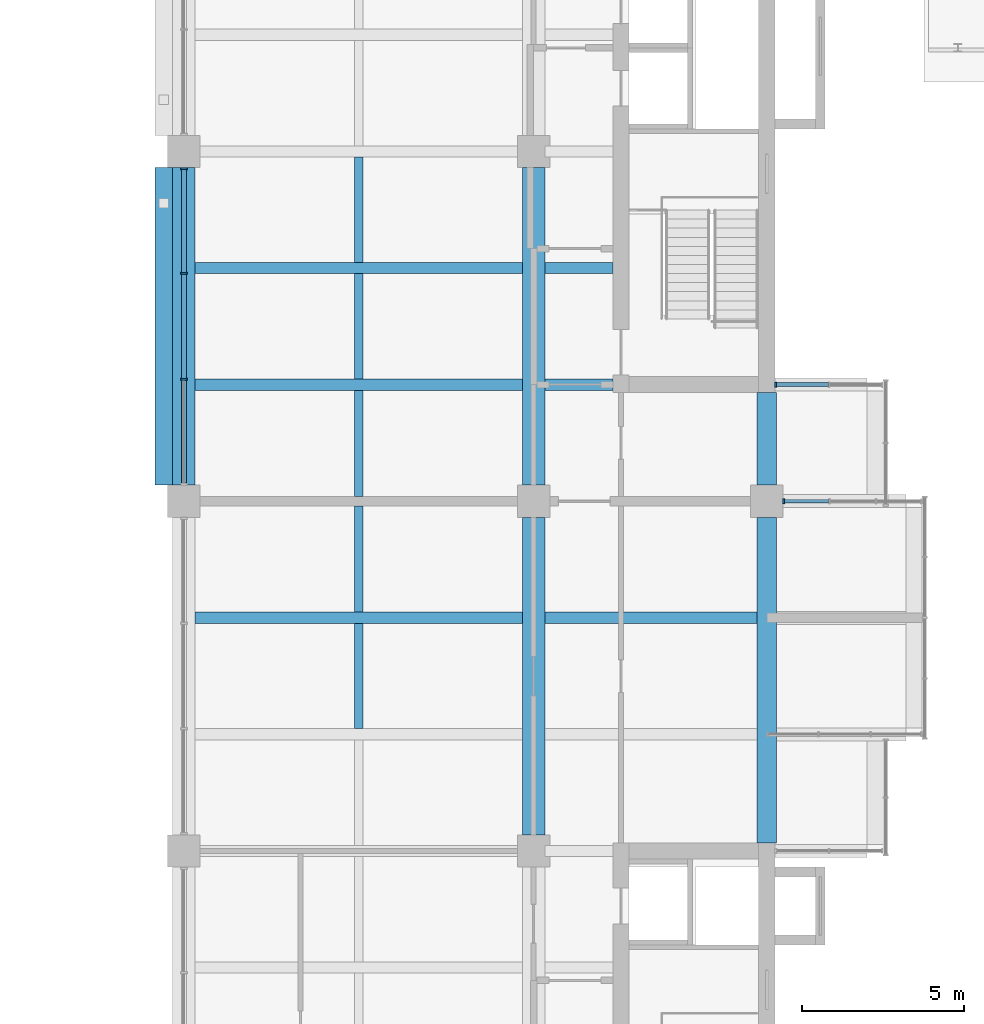
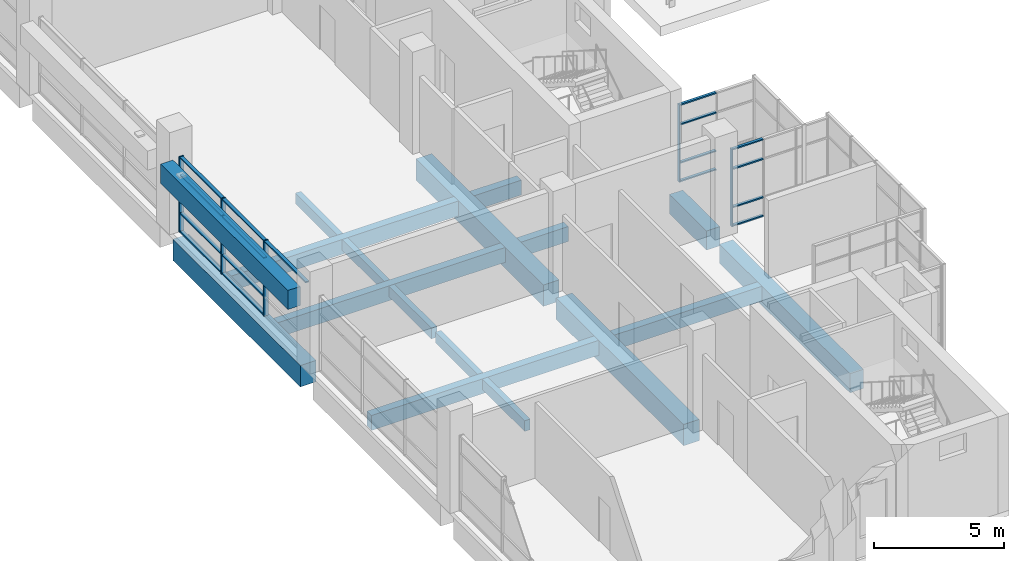
# One storey, part 6 of 44: 22 members, 17 beams, 3 elements without a shape of their own.
"""IFC4 building model written with IfcOpenShell, lengths in metres."""

from ifc_helpers import new_model, si_unit, direction, frame, origin, origin_2d, place, context, subcontext, project, spatial, rectangle, extrude, material, layer, layer_set, material_profile, profile_set, type_object, element, aggregate, save


model = new_model("IFC4")

# Units and contexts
model_context = context("Model", 3, precision=1e-05, world=origin(), true_north=direction((0.0, 1.0)))
body_context = subcontext(model_context, "Body", "Model", "MODEL_VIEW")
ifc_project = project(units=[si_unit("LENGTHUNIT", "METRE"), si_unit("AREAUNIT", "SQUARE_METRE"), si_unit("VOLUMEUNIT", "CUBIC_METRE"), si_unit("PLANEANGLEUNIT", "RADIAN"), si_unit("MASSUNIT", "GRAM", prefix="KILO")], contexts=[model_context])

# Site, building, storey
site_placement = place(None, origin())
site = spatial("IfcSite", under=ifc_project, at=site_placement, CompositionType="ELEMENT")
building_placement = place(site_placement, origin())
building = spatial("IfcBuilding", under=site, at=building_placement, Name="Basin Gate Institute", CompositionType="ELEMENT")
storey_placement = place(building_placement, frame((0.0, 0.0, 27.0)))
storey = spatial("IfcBuildingStorey", under=building, at=storey_placement, Name="L05", CompositionType="ELEMENT", Elevation=27.0)

# Beams
ifc_material_1 = material(Name="Concrete 40 MPa", Category="concrete")
ifc_material_profile_1 = material_profile(ifc_material_1, rectangle(XDim=0.35009765625, YDim=0.699951171875, at=origin_2d()), Name="Beam B1 350 x 700")
ifc_profile_set_1 = profile_set([ifc_material_profile_1], Name="Concrete 40 MPa")
beam_type_1 = type_object("IfcBeamType", Name="Beam B1 R120", PredefinedType="BEAM", material=ifc_profile_set_1)
beam_1_placement = place(storey_placement, frame((111.25, 53.10009765625, -0.60009765625), z_axis=(-1.0, 0.0, 0.0), x_axis=(0.0, -1.0, 0.0)))
element("IfcBeam", 1, at=beam_1_placement, inside=storey, type_object=beam_type_1, material=ifc_profile_set_1, Name="BEAM/L05/E/EW/06", PredefinedType="BEAM", context=body_context, shape_type="SweptSolid", body=[
    extrude(rectangle(XDim=0.35009765625, YDim=0.699951171875, at=origin_2d()), origin(), (0.0, 0.0, 1.0), 10.10009765625),
])
beam_2_placement = place(storey_placement, frame((118.5, 53.10009765625, -0.60009765625), z_axis=(-1.0, 0.0, 0.0), x_axis=(0.0, -1.0, 0.0)))
element("IfcBeam", 2, at=beam_2_placement, inside=storey, type_object=beam_type_1, material=ifc_profile_set_1, Name="BEAM/L05/E/OUT/06", PredefinedType="BEAM", context=body_context, shape_type="SweptSolid", body=[
    extrude(rectangle(XDim=0.35009765625, YDim=0.699951171875, at=origin_2d()), origin(), (0.0, 0.0, 1.0), 6.550048828125),
])
beam_3_placement = place(storey_placement, frame((111.25, 60.300048828125, -0.60009765625), z_axis=(-1.0, 0.0, 0.0), x_axis=(0.0, -1.0, 0.0)))
element("IfcBeam", 3, at=beam_3_placement, inside=storey, type_object=beam_type_1, material=ifc_profile_set_1, Name="BEAM/L05/E/EW/08", PredefinedType="BEAM", context=body_context, shape_type="SweptSolid", body=[
    extrude(rectangle(XDim=0.35009765625, YDim=0.699951171875, at=origin_2d()), origin(), (0.0, 0.0, 1.0), 10.10009765625),
])
beam_4_placement = place(storey_placement, frame((114.050048828125, 60.300048828125, -0.60009765625), z_axis=(-1.0, 0.0, 0.0), x_axis=(0.0, -1.0, 0.0)))
element("IfcBeam", 4, at=beam_4_placement, inside=storey, type_object=beam_type_1, material=ifc_profile_set_1, Name="BEAM/L05/E/CORR/08", PredefinedType="BEAM", context=body_context, shape_type="SweptSolid", body=[
    extrude(rectangle(XDim=0.35009765625, YDim=0.699951171875, at=origin_2d()), origin(), (0.0, 0.0, 1.0), 2.10009765625),
])
beam_5_placement = place(storey_placement, frame((111.25, 63.89990234375, -0.60009765625), z_axis=(-1.0, 0.0, 0.0), x_axis=(0.0, -1.0, 0.0)))
element("IfcBeam", 5, at=beam_5_placement, inside=storey, type_object=beam_type_1, material=ifc_profile_set_1, Name="BEAM/L05/E/EW/09", PredefinedType="BEAM", context=body_context, shape_type="SweptSolid", body=[
    extrude(rectangle(XDim=0.35009765625, YDim=0.699951171875, at=origin_2d()), origin(), (0.0, 0.0, 1.0), 10.10009765625),
])
beam_6_placement = place(storey_placement, frame((114.050048828125, 63.89990234375, -0.60009765625), z_axis=(-1.0, 0.0, 0.0), x_axis=(0.0, -1.0, 0.0)))
element("IfcBeam", 6, at=beam_6_placement, inside=storey, type_object=beam_type_1, material=ifc_profile_set_1, Name="BEAM/L05/E/CORR/09", PredefinedType="BEAM", context=body_context, shape_type="SweptSolid", body=[
    extrude(rectangle(XDim=0.35009765625, YDim=0.699951171875, at=origin_2d()), origin(), (0.0, 0.0, 1.0), 2.10009765625),
])
ifc_material_2 = material(Name="Concrete 50 MPa", Category="concrete")
ifc_material_profile_2 = material_profile(ifc_material_2, rectangle(XDim=0.550048828125, YDim=0.89990234375, at=origin_2d()), Name="Bridge bearing B5 550 x 900")
ifc_profile_set_2 = profile_set([ifc_material_profile_2], Name="Concrete 50 MPa")
beam_type_2 = type_object("IfcBeamType", Name="Bridge bearing B5 R120", PredefinedType="BEAM", material=ifc_profile_set_2)
beam_7_placement = place(storey_placement, frame((100.175048828125, 57.199951171875, 3.02197265625), z_axis=(0.0, 1.0, 0.0), x_axis=(-1.0, 0.0, 0.0)))
element("IfcBeam", 7, at=beam_7_placement, inside=storey, type_object=beam_type_2, material=ifc_profile_set_2, Name="Bridge bearing R120 L06 E1", PredefinedType="BEAM", context=body_context, shape_type="SweptSolid", body=[
    extrude(rectangle(XDim=0.550048828125, YDim=0.89990234375, at=origin_2d()), origin(), (0.0, 0.0, 1.0), 9.800048828125),
])
ifc_material_3 = material(Name="Concrete 50 MPa", Category="concrete")
ifc_material_profile_3 = material_profile(ifc_material_3, rectangle(XDim=0.60009765625, YDim=0.89990234375, at=origin_2d()), Name="Edge beam EB1 600 x 900")
ifc_profile_set_3 = profile_set([ifc_material_profile_3], Name="Concrete 50 MPa")
beam_type_3 = type_object("IfcBeamType", Name="Edge beam EB1 R120", PredefinedType="SPANDREL", material=ifc_profile_set_3)
beam_8_placement = place(storey_placement, frame((118.800048828125, 46.14990234375, -0.699951171875), z_axis=(0.0, 1.0, 0.0), x_axis=(-1.0, 0.0, 0.0)))
element("IfcBeam", 8, at=beam_8_placement, inside=storey, type_object=beam_type_3, material=ifc_profile_set_3, Name="BEAM/L05/E/EDGE/1", PredefinedType="SPANDREL", context=body_context, shape_type="SweptSolid", body=[
    extrude(rectangle(XDim=0.60009765625, YDim=0.89990234375, at=origin_2d()), origin(), (0.0, 0.0, 1.0), 10.050048828125),
])
ifc_material_4 = material(Name="Concrete 50 MPa", Category="concrete")
ifc_material_profile_4 = material_profile(ifc_material_4, rectangle(XDim=0.60009765625, YDim=0.89990234375, at=origin_2d()), Name="Edge return beam EB3 600 x 900")
ifc_profile_set_4 = profile_set([ifc_material_profile_4], Name="Concrete 50 MPa")
beam_type_4 = type_object("IfcBeamType", Name="Edge return beam EB3 R120", PredefinedType="SPANDREL", material=ifc_profile_set_4)
beam_9_placement = place(storey_placement, frame((118.800048828125, 57.199951171875, -0.699951171875), z_axis=(0.0, 1.0, 0.0), x_axis=(-1.0, 0.0, 0.0)))
element("IfcBeam", 9, at=beam_9_placement, inside=storey, type_object=beam_type_4, material=ifc_profile_set_4, Name="BEAM/L05/E/EDGE/2", PredefinedType="SPANDREL", context=body_context, shape_type="SweptSolid", body=[
    extrude(rectangle(XDim=0.60009765625, YDim=0.89990234375, at=origin_2d()), origin(), (0.0, 0.0, 1.0), 2.85009765625),
])
ifc_material_5 = material(Name="Concrete 50 MPa", Category="concrete")
ifc_material_profile_5 = material_profile(ifc_material_5, rectangle(XDim=0.699951171875, YDim=1.0, at=origin_2d()), Name="Girder G1 700 x 1000")
ifc_profile_set_5 = profile_set([ifc_material_profile_5], Name="Concrete 50 MPa")
beam_type_5 = type_object("IfcBeamType", Name="Girder G1 R120", PredefinedType="BEAM", material=ifc_profile_set_5)
for number, where, z_axis, x_axis, name in (
    (10, (111.60009765625, 46.39990234375, -0.75), (0.0, 1.0, 0.0), (-1.0, 0.0, 0.0), "GIR/L05/E8/2"),
    (11, (111.60009765625, 57.199951171875, -0.75), (0.0, 1.0, 0.0), (-1.0, 0.0, 0.0), "GIR/L05/E8/3"),
    (12, (100.800048828125, 57.199951171875, -0.75), (0.0, 1.0, 0.0), (-1.0, 0.0, 0.0), "GIR/L05/E7/3"),
):
    element("IfcBeam", number, at=place(storey_placement, frame(where, z_axis=z_axis, x_axis=x_axis)), inside=storey, type_object=beam_type_5, material=ifc_profile_set_5, Name=name, PredefinedType="BEAM", context=body_context, shape_type="SweptSolid", body=[
        extrude(rectangle(XDim=0.699951171875, YDim=1.0, at=origin_2d()), origin(), (0.0, 0.0, 1.0), 9.800048828125),
    ])

# Curtain wall, member
ifc_material_6 = material(Name="Aluminium-framed glazing", Category="aluminium")
ifc_layer_1 = layer(ifc_material_6, 0.14990234375)
ifc_layer_set_1 = layer_set([ifc_layer_1], Name="Capsule front curtain wall CW1")
curtain_wall_type_1 = type_object("IfcCurtainWallType", Name="Capsule front curtain wall CW1", PredefinedType="NOTDEFINED", material=ifc_layer_set_1)
curtain_wall_1_placement = place(storey_placement, origin())
curtain_wall_1 = element("IfcCurtainWall", 13, at=curtain_wall_1_placement, inside=storey, type_object=curtain_wall_type_1, material=ifc_layer_set_1, Name="Capsule front curtain wall E wing capsule end L05 line 7", PredefinedType="NOTDEFINED")
ifc_material_7 = material(Name="Aluminium", Category="aluminium")
ifc_material_profile_6 = material_profile(ifc_material_7, rectangle(XDim=0.14990234375, YDim=0.050048828125, at=origin_2d()), Name="Mullion MU1 150 x 50")
ifc_profile_set_6 = profile_set([ifc_material_profile_6], Name="Aluminium")
member_type_1 = type_object("IfcMemberType", Name="Mullion MU1", PredefinedType="MULLION", material=ifc_profile_set_6)
member_1_placement = place(storey_placement, frame((119.324951171875, 56.699951171875, 0.0), z_axis=(0.0, 0.0, 1.0), x_axis=(0.0, -1.0, 0.0)))
member_1 = element("IfcMember", 14, at=member_1_placement, type_object=member_type_1, material=ifc_profile_set_6, Name="CW1 mullion 4", PredefinedType="MULLION", context=body_context, shape_type="SweptSolid", body=[
    extrude(rectangle(XDim=0.14990234375, YDim=0.050048828125, at=origin_2d()), origin(), (0.0, 0.0, 1.0), 3.64990234375),
])

curtain_wall_2_placement = place(storey_placement, origin())
curtain_wall_2 = element("IfcCurtainWall", 15, at=curtain_wall_2_placement, inside=storey, type_object=curtain_wall_type_1, material=ifc_layer_set_1, Name="Capsule front curtain wall E wing capsule end L05 line 8", PredefinedType="NOTDEFINED")
member_2_placement = place(storey_placement, frame((119.074951171875, 60.300048828125, 0.0), z_axis=(0.0, 0.0, 1.0), x_axis=(0.0, -1.0, 0.0)))
member_2 = element("IfcMember", 16, at=member_2_placement, type_object=member_type_1, material=ifc_profile_set_6, Name="CW1 mullion 3", PredefinedType="MULLION", context=body_context, shape_type="SweptSolid", body=[
    extrude(rectangle(XDim=0.14990234375, YDim=0.050048828125, at=origin_2d()), origin(), (0.0, 0.0, 1.0), 3.64990234375),
])

# Curtain wall, members
ifc_material_8 = material(Name="Aluminium-framed glazing", Category="aluminium")
ifc_layer_2 = layer(ifc_material_8, 0.199951171875)
ifc_layer_set_2 = layer_set([ifc_layer_2], Name="Atrium curtain wall CW2")
curtain_wall_type_2 = type_object("IfcCurtainWallType", Name="Atrium curtain wall CW2", PredefinedType="NOTDEFINED", material=ifc_layer_set_2)
curtain_wall_3_placement = place(storey_placement, origin())
curtain_wall_3 = element("IfcCurtainWall", 17, at=curtain_wall_3_placement, inside=storey, type_object=curtain_wall_type_2, material=ifc_layer_set_2, Name="Atrium curtain wall E wing atrium bay 3 L05", PredefinedType="NOTDEFINED")
ifc_material_9 = material(Name="Aluminium", Category="aluminium")
ifc_material_profile_7 = material_profile(ifc_material_9, rectangle(XDim=0.199951171875, YDim=0.06005859375, at=origin_2d()), Name="Mullion MU2 200 x 60")
ifc_profile_set_7 = profile_set([ifc_material_profile_7], Name="Aluminium")
member_type_2 = type_object("IfcMemberType", Name="Mullion MU2", PredefinedType="MULLION", material=ifc_profile_set_7)
member_3_placement = place(storey_placement, frame((100.800048828125, 60.466552734375, 0.0), z_axis=(0.0, 0.0, 1.0), x_axis=(-1.0, 0.0, 0.0)))
member_3 = element("IfcMember", 18, at=member_3_placement, type_object=member_type_2, material=ifc_profile_set_7, Name="CW2 mullion 2", PredefinedType="MULLION", context=body_context, shape_type="SweptSolid", body=[
    extrude(rectangle(XDim=0.199951171875, YDim=0.06005859375, at=origin_2d()), origin(), (0.0, 0.0, 1.0), 3.550048828125),
])
member_4_placement = place(storey_placement, frame((100.800048828125, 63.7333984375, 0.0), z_axis=(0.0, 0.0, 1.0), x_axis=(-1.0, 0.0, 0.0)))
member_4 = element("IfcMember", 19, at=member_4_placement, type_object=member_type_2, material=ifc_profile_set_7, Name="CW2 mullion 3", PredefinedType="MULLION", context=body_context, shape_type="SweptSolid", body=[
    extrude(rectangle(XDim=0.199951171875, YDim=0.06005859375, at=origin_2d()), origin(), (0.0, 0.0, 1.0), 3.550048828125),
])
member_5_placement = place(storey_placement, frame((100.800048828125, 66.969970703125, 0.0), z_axis=(0.0, 0.0, 1.0), x_axis=(-1.0, 0.0, 0.0)))
member_5 = element("IfcMember", 20, at=member_5_placement, type_object=member_type_2, material=ifc_profile_set_7, Name="CW2 mullion 4", PredefinedType="MULLION", context=body_context, shape_type="SweptSolid", body=[
    extrude(rectangle(XDim=0.199951171875, YDim=0.06005859375, at=origin_2d()), origin(), (0.0, 0.0, 1.0), 3.550048828125),
])

# Beams
ifc_material_10 = material(Name="Concrete 40 MPa", Category="concrete")
ifc_material_profile_8 = material_profile(ifc_material_10, rectangle(XDim=0.25, YDim=0.5, at=origin_2d()), Name="Rib R1 250 x 500")
ifc_profile_set_8 = profile_set([ifc_material_profile_8], Name="Concrete 40 MPa")
beam_type_6 = type_object("IfcBeamType", Name="Rib R1 R120", PredefinedType="JOIST", material=ifc_profile_set_8)
beam_10_placement = place(storey_placement, frame((106.199951171875, 49.675048828125, -0.5), z_axis=(0.0, 1.0, 0.0), x_axis=(-1.0, 0.0, 0.0)))
element("IfcBeam", 21, at=beam_10_placement, inside=storey, type_object=beam_type_6, material=ifc_profile_set_8, Name="BEAM/L05/E/RIB/05", PredefinedType="JOIST", context=body_context, shape_type="SweptSolid", body=[
    extrude(rectangle(XDim=0.25, YDim=0.5, at=origin_2d()), origin(), (0.0, 0.0, 1.0), 3.25),
])
beam_11_placement = place(storey_placement, frame((106.199951171875, 53.27490234375, -0.5), z_axis=(0.0, 1.0, 0.0), x_axis=(-1.0, 0.0, 0.0)))
element("IfcBeam", 22, at=beam_11_placement, inside=storey, type_object=beam_type_6, material=ifc_profile_set_8, Name="BEAM/L05/E/RIB/06", PredefinedType="JOIST", context=body_context, shape_type="SweptSolid", body=[
    extrude(rectangle(XDim=0.25, YDim=0.5, at=origin_2d()), origin(), (0.0, 0.0, 1.0), 3.275146484375),
])
beam_12_placement = place(storey_placement, frame((106.199951171875, 56.85009765625, -0.5), z_axis=(0.0, 1.0, 0.0), x_axis=(-1.0, 0.0, 0.0)))
element("IfcBeam", 23, at=beam_12_placement, inside=storey, type_object=beam_type_6, material=ifc_profile_set_8, Name="BEAM/L05/E/RIB/07", PredefinedType="JOIST", context=body_context, shape_type="SweptSolid", body=[
    extrude(rectangle(XDim=0.25, YDim=0.5, at=origin_2d()), origin(), (0.0, 0.0, 1.0), 3.27490234375),
])
for number, where, z_axis, x_axis, name in (
    (24, (106.199951171875, 60.47509765625, -0.5), (0.0, 1.0, 0.0), (-1.0, 0.0, 0.0), "BEAM/L05/E/RIB/08"),
    (25, (106.199951171875, 64.074951171875, -0.5), (0.0, 1.0, 0.0), (-1.0, 0.0, 0.0), "BEAM/L05/E/RIB/09"),
):
    element("IfcBeam", number, at=place(storey_placement, frame(where, z_axis=z_axis, x_axis=x_axis)), inside=storey, type_object=beam_type_6, material=ifc_profile_set_8, Name=name, PredefinedType="JOIST", context=body_context, shape_type="SweptSolid", body=[
        extrude(rectangle(XDim=0.25, YDim=0.5, at=origin_2d()), origin(), (0.0, 0.0, 1.0), 3.25),
    ])

# Member
ifc_material_11 = material(Name="Aluminium", Category="aluminium")
ifc_material_profile_9 = material_profile(ifc_material_11, rectangle(XDim=0.1201171875, YDim=0.06005859375, at=origin_2d()), Name="Transom TR1 120 x 60")
ifc_profile_set_9 = profile_set([ifc_material_profile_9], Name="Aluminium")
member_type_3 = type_object("IfcMemberType", Name="Transom TR1", PredefinedType="USERDEFINED", material=ifc_profile_set_9)
member_6_placement = place(storey_placement, frame((120.708251953125, 56.699951171875, 0.030029296875), z_axis=(-1.0, 0.0, 0.0), x_axis=(0.0, -1.0, 0.0)))
member_6 = element("IfcMember", 26, at=member_6_placement, type_object=member_type_3, material=ifc_profile_set_9, Name="CW1 transom 3.1", ObjectType="TRANSOM", PredefinedType="USERDEFINED", context=body_context, shape_type="SweptSolid", body=[
    extrude(rectangle(XDim=0.1201171875, YDim=0.06005859375, at=origin_2d()), origin(), (0.0, 0.0, 1.0), 1.358154296875),
])

member_7_placement = place(storey_placement, frame((120.708251953125, 56.699951171875, 0.89990234375), z_axis=(-1.0, 0.0, 0.0), x_axis=(0.0, -1.0, 0.0)))
member_7 = element("IfcMember", 27, at=member_7_placement, type_object=member_type_3, material=ifc_profile_set_9, Name="CW1 transom 3.2", ObjectType="TRANSOM", PredefinedType="USERDEFINED", context=body_context, shape_type="SweptSolid", body=[
    extrude(rectangle(XDim=0.1201171875, YDim=0.06005859375, at=origin_2d()), origin(), (0.0, 0.0, 1.0), 1.358154296875),
])

member_8_placement = place(storey_placement, frame((120.708251953125, 56.699951171875, 2.699951171875), z_axis=(-1.0, 0.0, 0.0), x_axis=(0.0, -1.0, 0.0)))
member_8 = element("IfcMember", 28, at=member_8_placement, type_object=member_type_3, material=ifc_profile_set_9, Name="CW1 transom 3.3", ObjectType="TRANSOM", PredefinedType="USERDEFINED", context=body_context, shape_type="SweptSolid", body=[
    extrude(rectangle(XDim=0.1201171875, YDim=0.06005859375, at=origin_2d()), origin(), (0.0, 0.0, 1.0), 1.358154296875),
])

member_9_placement = place(storey_placement, frame((120.708251953125, 56.699951171875, 3.6201171875), z_axis=(-1.0, 0.0, 0.0), x_axis=(0.0, -1.0, 0.0)))
member_9 = element("IfcMember", 29, at=member_9_placement, type_object=member_type_3, material=ifc_profile_set_9, Name="CW1 transom 3.4", ObjectType="TRANSOM", PredefinedType="USERDEFINED", context=body_context, shape_type="SweptSolid", body=[
    extrude(rectangle(XDim=0.1201171875, YDim=0.06005859375, at=origin_2d()), origin(), (0.0, 0.0, 1.0), 1.358154296875),
])

aggregate(curtain_wall_1, [member_1, member_6, member_7, member_8, member_9])

member_10_placement = place(storey_placement, frame((120.699951171875, 60.300048828125, 0.030029296875), z_axis=(-1.0, 0.0, 0.0), x_axis=(0.0, -1.0, 0.0)))
member_10 = element("IfcMember", 30, at=member_10_placement, type_object=member_type_3, material=ifc_profile_set_9, Name="CW1 transom 2.1", ObjectType="TRANSOM", PredefinedType="USERDEFINED", context=body_context, shape_type="SweptSolid", body=[
    extrude(rectangle(XDim=0.1201171875, YDim=0.06005859375, at=origin_2d()), origin(), (0.0, 0.0, 1.0), 1.599853515625),
])

member_11_placement = place(storey_placement, frame((120.699951171875, 60.300048828125, 0.89990234375), z_axis=(-1.0, 0.0, 0.0), x_axis=(0.0, -1.0, 0.0)))
member_11 = element("IfcMember", 31, at=member_11_placement, type_object=member_type_3, material=ifc_profile_set_9, Name="CW1 transom 2.2", ObjectType="TRANSOM", PredefinedType="USERDEFINED", context=body_context, shape_type="SweptSolid", body=[
    extrude(rectangle(XDim=0.1201171875, YDim=0.06005859375, at=origin_2d()), origin(), (0.0, 0.0, 1.0), 1.599853515625),
])

member_12_placement = place(storey_placement, frame((120.699951171875, 60.300048828125, 2.699951171875), z_axis=(-1.0, 0.0, 0.0), x_axis=(0.0, -1.0, 0.0)))
member_12 = element("IfcMember", 32, at=member_12_placement, type_object=member_type_3, material=ifc_profile_set_9, Name="CW1 transom 2.3", ObjectType="TRANSOM", PredefinedType="USERDEFINED", context=body_context, shape_type="SweptSolid", body=[
    extrude(rectangle(XDim=0.1201171875, YDim=0.06005859375, at=origin_2d()), origin(), (0.0, 0.0, 1.0), 1.599853515625),
])

member_13_placement = place(storey_placement, frame((120.699951171875, 60.300048828125, 3.6201171875), z_axis=(-1.0, 0.0, 0.0), x_axis=(0.0, -1.0, 0.0)))
member_13 = element("IfcMember", 33, at=member_13_placement, type_object=member_type_3, material=ifc_profile_set_9, Name="CW1 transom 2.4", ObjectType="TRANSOM", PredefinedType="USERDEFINED", context=body_context, shape_type="SweptSolid", body=[
    extrude(rectangle(XDim=0.1201171875, YDim=0.06005859375, at=origin_2d()), origin(), (0.0, 0.0, 1.0), 1.599853515625),
])

aggregate(curtain_wall_2, [member_2, member_10, member_11, member_12, member_13])

ifc_material_12 = material(Name="Aluminium", Category="aluminium")
ifc_material_profile_10 = material_profile(ifc_material_12, rectangle(XDim=0.14990234375, YDim=0.06005859375, at=origin_2d()), Name="Transom TR2 150 x 60")
ifc_profile_set_10 = profile_set([ifc_material_profile_10], Name="Aluminium")
member_type_4 = type_object("IfcMemberType", Name="Transom TR2", PredefinedType="USERDEFINED", material=ifc_profile_set_10)
member_14_placement = place(storey_placement, frame((100.800048828125, 57.260009765625, 3.52001953125), z_axis=(0.0, 1.0, 0.0), x_axis=(-1.0, 0.0, 0.0)))
member_14 = element("IfcMember", 34, at=member_14_placement, type_object=member_type_4, material=ifc_profile_set_10, Name="CW2 transom 1.4", ObjectType="TRANSOM", PredefinedType="USERDEFINED", context=body_context, shape_type="SweptSolid", body=[
    extrude(rectangle(XDim=0.14990234375, YDim=0.06005859375, at=origin_2d()), origin(), (0.0, 0.0, 1.0), 3.1767578125),
])

member_15_placement = place(storey_placement, frame((100.800048828125, 60.49658203125, 0.030029296875), z_axis=(0.0, 1.0, 0.0), x_axis=(-1.0, 0.0, 0.0)))
member_15 = element("IfcMember", 35, at=member_15_placement, type_object=member_type_4, material=ifc_profile_set_10, Name="CW2 transom 2.1", ObjectType="TRANSOM", PredefinedType="USERDEFINED", context=body_context, shape_type="SweptSolid", body=[
    extrude(rectangle(XDim=0.14990234375, YDim=0.06005859375, at=origin_2d()), origin(), (0.0, 0.0, 1.0), 3.206787109375),
])

member_16_placement = place(storey_placement, frame((100.800048828125, 60.49658203125, 0.89990234375), z_axis=(0.0, 1.0, 0.0), x_axis=(-1.0, 0.0, 0.0)))
member_16 = element("IfcMember", 36, at=member_16_placement, type_object=member_type_4, material=ifc_profile_set_10, Name="CW2 transom 2.2", ObjectType="TRANSOM", PredefinedType="USERDEFINED", context=body_context, shape_type="SweptSolid", body=[
    extrude(rectangle(XDim=0.14990234375, YDim=0.06005859375, at=origin_2d()), origin(), (0.0, 0.0, 1.0), 3.206787109375),
])

member_17_placement = place(storey_placement, frame((100.800048828125, 60.49658203125, 2.699951171875), z_axis=(0.0, 1.0, 0.0), x_axis=(-1.0, 0.0, 0.0)))
member_17 = element("IfcMember", 37, at=member_17_placement, type_object=member_type_4, material=ifc_profile_set_10, Name="CW2 transom 2.3", ObjectType="TRANSOM", PredefinedType="USERDEFINED", context=body_context, shape_type="SweptSolid", body=[
    extrude(rectangle(XDim=0.14990234375, YDim=0.06005859375, at=origin_2d()), origin(), (0.0, 0.0, 1.0), 3.206787109375),
])

member_18_placement = place(storey_placement, frame((100.800048828125, 60.49658203125, 3.52001953125), z_axis=(0.0, 1.0, 0.0), x_axis=(-1.0, 0.0, 0.0)))
member_18 = element("IfcMember", 38, at=member_18_placement, type_object=member_type_4, material=ifc_profile_set_10, Name="CW2 transom 2.4", ObjectType="TRANSOM", PredefinedType="USERDEFINED", context=body_context, shape_type="SweptSolid", body=[
    extrude(rectangle(XDim=0.14990234375, YDim=0.06005859375, at=origin_2d()), origin(), (0.0, 0.0, 1.0), 3.206787109375),
])

member_19_placement = place(storey_placement, frame((100.800048828125, 63.763427734375, 0.030029296875), z_axis=(0.0, 1.0, 0.0), x_axis=(-1.0, 0.0, 0.0)))
member_19 = element("IfcMember", 39, at=member_19_placement, type_object=member_type_4, material=ifc_profile_set_10, Name="CW2 transom 3.1", ObjectType="TRANSOM", PredefinedType="USERDEFINED", context=body_context, shape_type="SweptSolid", body=[
    extrude(rectangle(XDim=0.14990234375, YDim=0.06005859375, at=origin_2d()), origin(), (0.0, 0.0, 1.0), 3.176513671875),
])

member_20_placement = place(storey_placement, frame((100.800048828125, 63.763427734375, 0.89990234375), z_axis=(0.0, 1.0, 0.0), x_axis=(-1.0, 0.0, 0.0)))
member_20 = element("IfcMember", 40, at=member_20_placement, type_object=member_type_4, material=ifc_profile_set_10, Name="CW2 transom 3.2", ObjectType="TRANSOM", PredefinedType="USERDEFINED", context=body_context, shape_type="SweptSolid", body=[
    extrude(rectangle(XDim=0.14990234375, YDim=0.06005859375, at=origin_2d()), origin(), (0.0, 0.0, 1.0), 3.176513671875),
])

member_21_placement = place(storey_placement, frame((100.800048828125, 63.763427734375, 2.699951171875), z_axis=(0.0, 1.0, 0.0), x_axis=(-1.0, 0.0, 0.0)))
member_21 = element("IfcMember", 41, at=member_21_placement, type_object=member_type_4, material=ifc_profile_set_10, Name="CW2 transom 3.3", ObjectType="TRANSOM", PredefinedType="USERDEFINED", context=body_context, shape_type="SweptSolid", body=[
    extrude(rectangle(XDim=0.14990234375, YDim=0.06005859375, at=origin_2d()), origin(), (0.0, 0.0, 1.0), 3.176513671875),
])

member_22_placement = place(storey_placement, frame((100.800048828125, 63.763427734375, 3.52001953125), z_axis=(0.0, 1.0, 0.0), x_axis=(-1.0, 0.0, 0.0)))
member_22 = element("IfcMember", 42, at=member_22_placement, type_object=member_type_4, material=ifc_profile_set_10, Name="CW2 transom 3.4", ObjectType="TRANSOM", PredefinedType="USERDEFINED", context=body_context, shape_type="SweptSolid", body=[
    extrude(rectangle(XDim=0.14990234375, YDim=0.06005859375, at=origin_2d()), origin(), (0.0, 0.0, 1.0), 3.176513671875),
])

aggregate(curtain_wall_3, [member_3, member_4, member_5, member_14, member_15, member_16, member_17, member_18, member_19, member_20, member_21, member_22])

save(model, "model.ifc")
